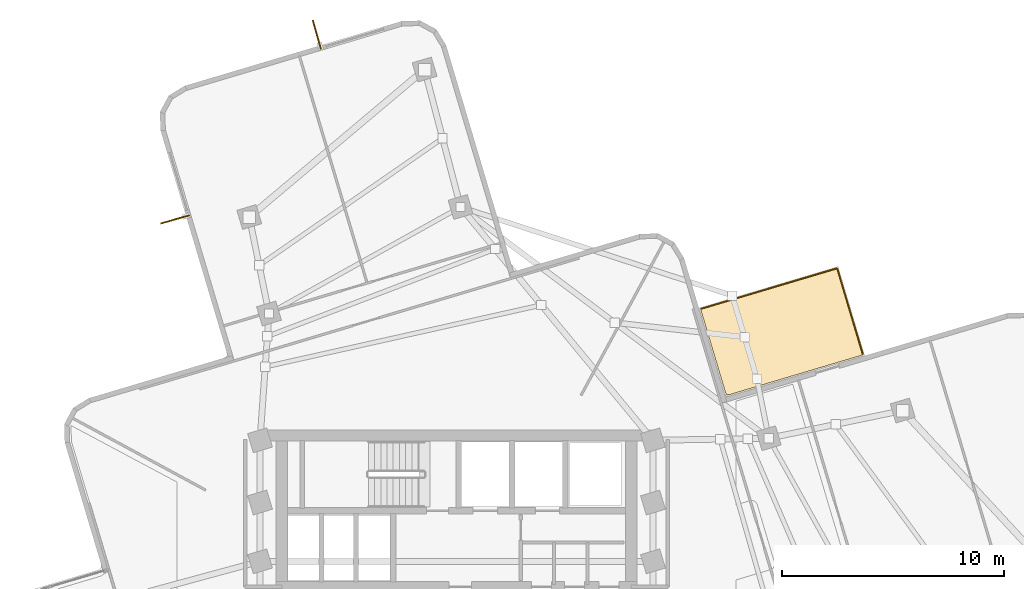
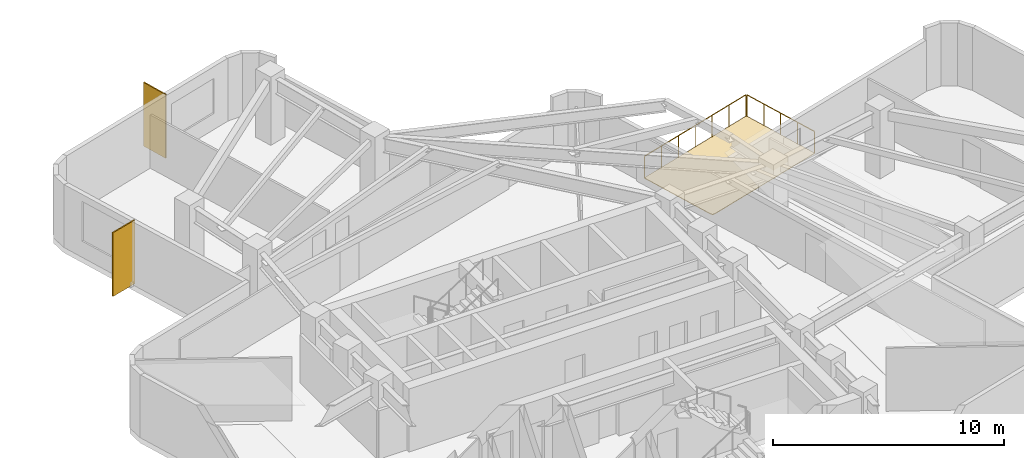
# One storey, part 11 of 11: 2 railings, 2 shading devices, 1 covering.
"""IFC4 building model written with IfcOpenShell, lengths in metres."""

from ifc_helpers import new_model, si_unit, direction, frame, origin, origin_2d, place, context, subcontext, project, spatial, polyline, rectangle, circle, outline, extrude, material, layer, layer_set, type_object, element, save


model = new_model("IFC4")

# Units and contexts
model_context = context("Model", 3, precision=1e-05, world=origin(), true_north=direction((0.0, 1.0)))
body_context = subcontext(model_context, "Body", "Model", "MODEL_VIEW")
ifc_project = project(units=[si_unit("LENGTHUNIT", "METRE"), si_unit("AREAUNIT", "SQUARE_METRE"), si_unit("VOLUMEUNIT", "CUBIC_METRE"), si_unit("PLANEANGLEUNIT", "RADIAN"), si_unit("MASSUNIT", "GRAM", prefix="KILO")], contexts=[model_context])

# Site, building, storey
site_placement = place(None, origin())
site = spatial("IfcSite", under=ifc_project, at=site_placement, CompositionType="ELEMENT")
building_placement = place(site_placement, origin())
building = spatial("IfcBuilding", under=site, at=building_placement, Name="Solmarez Civic Tower", CompositionType="ELEMENT")
storey_placement = place(building_placement, frame((0.0, 0.0, 141.47998046875)))
storey = spatial("IfcBuildingStorey", under=building, at=storey_placement, Name="L37", CompositionType="ELEMENT", Elevation=141.47998046875)

# Covering
ifc_material_1 = material(Name="Elastomeric Terrace Waterproofing Membrane")
ifc_layer_1 = layer(ifc_material_1, 0.030029296875)
ifc_layer_set_1 = layer_set([ifc_layer_1], Name="Elastomeric Terrace Waterproofing Membrane")
covering_type = type_object("IfcCoveringType", Name="COV-MEMBRANE-ROOF", PredefinedType="ROOFING", material=ifc_layer_set_1)
covering_placement = place(storey_placement, origin())
element("IfcCovering", 1, at=covering_placement, inside=storey, type_object=covering_type, Name="L37 Balcony Waterproofing NE", PredefinedType="ROOFING", context=body_context, shape_type="SweptSolid", body=[
    extrude(outline(polyline([(12.112060546875, 10.51806640625), (12.178955078125, 10.407958984375), (12.306884765625, 10.412109375), (18.31689453125, 12.202880859375), (17.152099609375, 16.111083984375), (10.991943359375, 14.27587890625), (12.112060546875, 10.51806640625)])), origin(), (0.0, 0.0, 1.0), 0.030029296875),
])

# Shading devices
ifc_material_2 = material(Name="Bronze Anodised Aluminium EN AW-6063 T6", Category="aluminium")
ifc_layer_2 = layer(ifc_material_2, 0.06005859375)
ifc_layer_set_2 = layer_set([ifc_layer_2], Name="Bronze Anodised Aluminium EN AW-6063 T6")
shading_device_type = type_object("IfcShadingDeviceType", Name="FIN-BRONZE-Z34", PredefinedType="USERDEFINED", material=ifc_layer_set_2)
for number, where, z_axis, x_axis, name in (
    (2, (-12.672119140625, 18.302978515625, -0.0400390625), (0.0, 0.0, 1.0), (-0.962046724882, -0.272884772651, 0.0), "L37 Anodised Bronze Solar Fin FIN-L37-03"),
    (3, (-6.2919921875, 26.626953125, -0.0400390625), (0.0, 0.0, 1.0), (-0.273019097054, 0.962008613602, 0.0), "L37 Anodised Bronze Solar Fin FIN-L37-04"),
):
    element("IfcShadingDevice", number, at=place(storey_placement, frame(where, z_axis=z_axis, x_axis=x_axis)), inside=storey, type_object=shading_device_type, Name=name, ObjectType="FIN", PredefinedType="USERDEFINED", context=body_context, shape_type="SweptSolid", body=[
        extrude(rectangle(XDim=1.35009765625, YDim=0.06005859375, at=origin_2d()), origin(), (0.0, 0.0, 1.0), 3.360107421875),
    ])

# Railings
ifc_material_3 = material(Name="Bronze Anodised Aluminium and Laminated Safety Glass Balustrade", Category="aluminium")
railing_type = type_object("IfcRailingType", Name="GUARD-TERR-1180", PredefinedType="BALUSTRADE", material=ifc_material_3)
railing_1_placement = place(storey_placement, frame((18.306884765625, 12.237060546875, 0.0)))
element("IfcRailing", 4, at=railing_1_placement, inside=storey, type_object=railing_type, Name="L37 Safety Balustrade GRD-BALC-L37-NE-1", PredefinedType="BALUSTRADE", context=body_context, shape_type="SweptSolid", body=[
    extrude(circle(Radius=0.02392578125, at=origin_2d()), frame((0.0, 0.0, 1.15576171875), z_axis=(-0.285704010917, 0.958317910793, 0.0), x_axis=(-0.958317910793, -0.285704010917, 0.0)), (0.0, 0.0, 1.0), 4.0068359375),
    extrude(circle(Radius=0.02099609375, at=origin_2d()), origin(), (0.0, 0.0, 1.0), 1.1318359375),
    extrude(circle(Radius=0.02099609375, at=origin_2d()), frame((-0.2861328125, 0.9599609375, 0.0)), (0.0, 0.0, 1.0), 1.1318359375),
    extrude(circle(Radius=0.02099609375, at=origin_2d()), frame((-0.572265625, 1.919921875, 0.0)), (0.0, 0.0, 1.0), 1.1318359375),
    extrude(circle(Radius=0.02099609375, at=origin_2d()), frame((-0.858642578125, 2.8798828125, 0.0)), (0.0, 0.0, 1.0), 1.1318359375),
    extrude(circle(Radius=0.02099609375, at=origin_2d()), frame((-1.144775390625, 3.83984375, 0.0)), (0.0, 0.0, 1.0), 1.1318359375),
])
railing_2_placement = place(storey_placement, frame((17.117919921875, 16.10107421875, 0.0)))
element("IfcRailing", 5, at=railing_2_placement, inside=storey, type_object=railing_type, Name="L37 Safety Balustrade GRD-BALC-L37-NE-2", PredefinedType="BALUSTRADE", context=body_context, shape_type="SweptSolid", body=[
    extrude(circle(Radius=0.02392578125, at=origin_2d()), frame((0.0, 0.0, 1.15576171875), z_axis=(-0.958362652411, -0.285553894148, 0.0), x_axis=(0.285553894148, -0.958362652411, 0.0)), (0.0, 0.0, 1.0), 6.356689453125),
    extrude(circle(Radius=0.02099609375, at=origin_2d()), origin(), (0.0, 0.0, 1.0), 1.1318359375),
    extrude(circle(Radius=0.02099609375, at=origin_2d()), frame((-1.015380859375, -0.302490234375, 0.0)), (0.0, 0.0, 1.0), 1.1318359375),
    extrude(circle(Radius=0.02099609375, at=origin_2d()), frame((-2.03076171875, -0.60498046875, 0.0)), (0.0, 0.0, 1.0), 1.1318359375),
    extrude(circle(Radius=0.02099609375, at=origin_2d()), frame((-3.0458984375, -0.90771484375, 0.0)), (0.0, 0.0, 1.0), 1.1318359375),
    extrude(circle(Radius=0.02099609375, at=origin_2d()), frame((-4.061279296875, -1.210205078125, 0.0)), (0.0, 0.0, 1.0), 1.1318359375),
    extrude(circle(Radius=0.02099609375, at=origin_2d()), frame((-5.07666015625, -1.5126953125, 0.0)), (0.0, 0.0, 1.0), 1.1318359375),
    extrude(circle(Radius=0.02099609375, at=origin_2d()), frame((-6.092041015625, -1.815185546875, 0.0)), (0.0, 0.0, 1.0), 1.1318359375),
])

save(model, "model.ifc")
